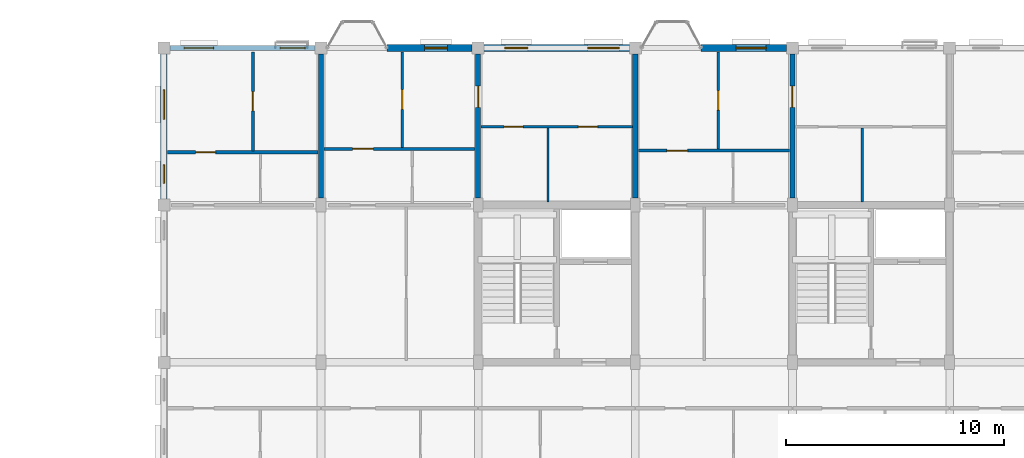
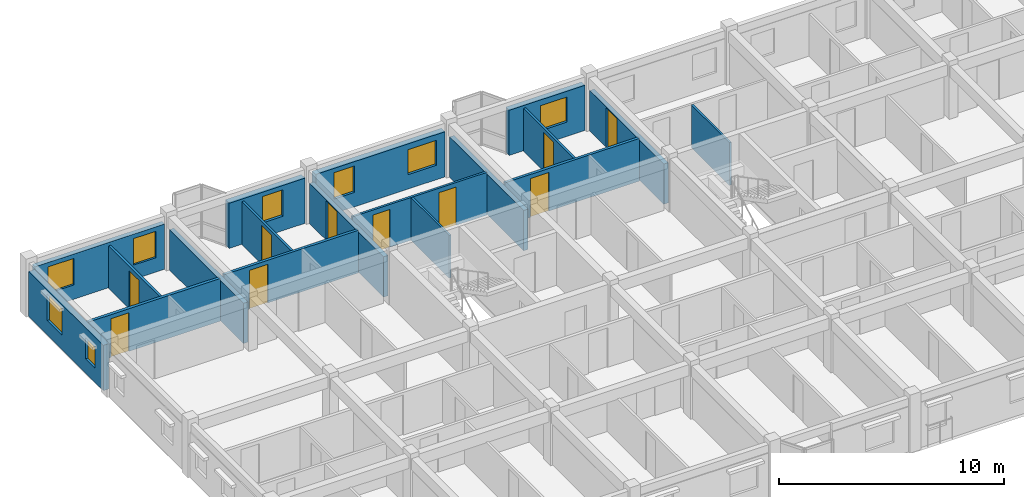
# One storey, part 64 of 75: 18 walls, 10 doors, 8 windows, 18 openings.
"""IFC4 building model written with IfcOpenShell, lengths in metres."""

import ifcopenshell
import ifcopenshell.guid

model = None  # the IFC model being written
_history = None  # IfcOwnerHistory: only IFC2X3 demands one
_inside = {}  # id of a spatial element -> (the spatial element, [elements in it])
_under = {}  # id of a project, library or spatial element -> (it, [spatial elements below it])
_declared = {}  # id of a project -> (the project, [libraries it declares])
_typed = {}  # id of a type object -> (the type object, [elements of that type])
_made_of = {}  # id of a material, layer set ... -> (it, [elements and type objects made of it])


def new_model(schema):
    """Start an empty IFC model of exactly this schema.

    Asked for "IFC4X3", IfcOpenShell would pick the latest addendum, in which some entities
    have other attributes; the version numbers below select the first issue.
    IFC2X3 requires an IfcOwnerHistory on every rooted entity: one is made here for all.
    """
    global model, _history
    if schema == "IFC4X3":
        model = ifcopenshell.file(schema_version=(4, 3, 0, 0))
    else:
        model = ifcopenshell.file(schema=schema)
    _inside.clear()
    _under.clear()
    _declared.clear()
    _typed.clear()
    _made_of.clear()
    _history = None
    if model.schema == "IFC2X3":
        org = make("IfcOrganization", Name="unknown")
        user = make(
            "IfcPersonAndOrganization",
            ThePerson=make("IfcPerson", FamilyName="unknown"),
            TheOrganization=org,
        )
        app = make(
            "IfcApplication",
            ApplicationDeveloper=org,
            Version="unknown",
            ApplicationFullName="unknown",
            ApplicationIdentifier="unknown",
        )
        _history = make(
            "IfcOwnerHistory",
            OwningUser=user,
            OwningApplication=app,
            ChangeAction="ADDED",
            CreationDate=0,
        )
    return model


def make(cls, **values):
    """One entity of the class cls with the attributes given. An attribute that is None is left unset."""
    return model.create_entity(
        cls, **{name: value for name, value in values.items() if value is not None}
    )


def rooted(cls, **values):
    """An entity with a GlobalId (a new one), such as an element, a storey or a relation."""
    return make(cls, GlobalId=ifcopenshell.guid.new(), OwnerHistory=_history, **values)


def si_unit(unit_type, name, prefix=None):
    """IfcSIUnit, for example si_unit("LENGTHUNIT", "METRE", prefix="MILLI")."""
    return make("IfcSIUnit", UnitType=unit_type, Prefix=prefix, Name=name)


def assignment(units):
    """IfcUnitAssignment: the units of a project."""
    return None if units is None else make("IfcUnitAssignment", Units=units)


def point(xyz):
    """IfcCartesianPoint."""
    return None if xyz is None else make("IfcCartesianPoint", Coordinates=xyz)


def direction(xyz):
    """IfcDirection."""
    return None if xyz is None else make("IfcDirection", DirectionRatios=xyz)


def frame(location, z_axis=None, x_axis=None):
    """IfcAxis2Placement3D, a coordinate frame: its origin and axes. An axis left out is left unset."""
    return make(
        "IfcAxis2Placement3D",
        Location=point(location),
        Axis=direction(z_axis),
        RefDirection=direction(x_axis),
    )


def frame_2d(location, x_axis=None):
    """IfcAxis2Placement2D, a coordinate frame in the plane: its origin and x axis."""
    return make(
        "IfcAxis2Placement2D", Location=point(location), RefDirection=direction(x_axis)
    )


def origin():
    """The frame at (0, 0, 0) with its axes left unset."""
    return frame((0.0, 0.0, 0.0))


def place(relative_to, where):
    """IfcLocalPlacement: puts the frame where relative to a parent placement (None: the world)."""
    return make(
        "IfcLocalPlacement", PlacementRelTo=relative_to, RelativePlacement=where
    )


def context(
    kind, dimensions, precision=None, world=None, true_north=None, identifier=None
):
    """IfcGeometricRepresentationContext, for example the 3D "Model" context."""
    return make(
        "IfcGeometricRepresentationContext",
        ContextIdentifier=identifier,
        ContextType=kind,
        CoordinateSpaceDimension=dimensions,
        Precision=precision,
        WorldCoordinateSystem=world,
        TrueNorth=true_north,
    )


def subcontext(parent, identifier, kind, view, scale=None):
    """IfcGeometricRepresentationSubContext, for example "Body" below "Model"."""
    return make(
        "IfcGeometricRepresentationSubContext",
        ContextIdentifier=identifier,
        ContextType=kind,
        ParentContext=parent,
        TargetScale=scale,
        TargetView=view,
    )


def project(units=None, contexts=None):
    """IfcProject with its units and contexts."""
    return rooted(
        "IfcProject",
        Name="project",
        RepresentationContexts=contexts,
        UnitsInContext=assignment(units),
    )


def spatial(cls, under=None, at=None, **own):
    """A site, building, storey or space (cls), placed at a placement, below another one or the project."""
    s = rooted(cls, ObjectPlacement=at, **own)
    if under is not None:
        _under.setdefault(under.id(), (under, []))[1].append(s)
    return s


def profile(cls, at=None, kind="AREA", **sizes):
    """A parametric profile (cls). Its sizes go by their IFC names, for example OverallWidth=200.0."""
    return make(cls, ProfileType=kind, Position=at, **sizes)


def rectangle(**sizes):
    """IfcRectangleProfileDef."""
    return profile("IfcRectangleProfileDef", **sizes)


def extrude(swept, where, along, depth):
    """IfcExtrudedAreaSolid: the profile swept, set in the frame where, extruded along a direction by depth."""
    return make(
        "IfcExtrudedAreaSolid",
        SweptArea=swept,
        Position=where,
        ExtrudedDirection=direction(along),
        Depth=depth,
    )


def shape(context_of_items, identifier, shape_type, items):
    """IfcShapeRepresentation: the items that make up one representation, for example the "Body"."""
    return make(
        "IfcShapeRepresentation",
        ContextOfItems=context_of_items,
        RepresentationIdentifier=identifier,
        RepresentationType=shape_type,
        Items=items,
    )


def material(Name=None, Category=None):
    """IfcMaterial."""
    return make("IfcMaterial", Name=Name, Category=Category)


def layer(
    of_material, thickness, ventilated=None, Name=None, Category=None, Priority=None
):
    """IfcMaterialLayer: one layer of a wall or slab, of a material (None: an air gap)."""
    return make(
        "IfcMaterialLayer",
        Material=of_material,
        LayerThickness=thickness,
        IsVentilated=ventilated,
        Name=Name,
        Category=Category,
        Priority=Priority,
    )


def layer_set(layers, Name=None):
    """IfcMaterialLayerSet."""
    return make("IfcMaterialLayerSet", MaterialLayers=layers, LayerSetName=Name)


def made_of(thing, what):
    """Note that an element or type object is made of a material, layer set ...; save() writes the relation."""
    if what is not None:
        _made_of.setdefault(what.id(), (what, []))[1].append(thing)
    return thing


def type_object(cls, material=None, **own):
    """A type object (cls), such as IfcWallType, which elements share."""
    return made_of(rooted(cls, **own), material)


def element(
    cls,
    number,
    at=None,
    inside=None,
    cuts=None,
    type_object=None,
    material=None,
    context=None,
    identifier="Body",
    shape_type=None,
    held_by="IfcProductDefinitionShape",
    body=None,
    shapes=None,
    **own,
):
    """One element of the class cls, such as IfcWall. Its Tag is "e" and its number.

    at: its placement. inside: the storey or other place that contains it. cuts: it is an
    opening in that element (IfcRelVoidsElement). A single representation is given by context,
    identifier, shape_type and body (its items); several are given by shapes. held_by: the class
    of the entity that holds the representations. save() writes the other relations.
    """
    e = rooted(cls, Tag="e%d" % number, ObjectPlacement=at, **own)
    if body is not None:
        shapes = [shape(context, identifier, shape_type, body)]
    if shapes is not None:
        e.Representation = make(held_by, Representations=shapes)
    if inside is not None:
        _inside.setdefault(inside.id(), (inside, []))[1].append(e)
    if cuts is not None:
        rooted(
            "IfcRelVoidsElement", RelatingBuildingElement=cuts, RelatedOpeningElement=e
        )
    if type_object is not None:
        _typed.setdefault(type_object.id(), (type_object, []))[1].append(e)
    return made_of(e, material)


def fill(opening, filler):
    """IfcRelFillsElement: the door or window that sits in an opening."""
    return rooted(
        "IfcRelFillsElement",
        RelatingOpeningElement=opening,
        RelatedBuildingElement=filler,
    )


def aggregate(whole, parts):
    """IfcRelAggregates: a whole, such as a stair, and the parts it consists of."""
    return rooted("IfcRelAggregates", RelatingObject=whole, RelatedObjects=parts)


def save(model, path):
    """Write the relations noted so far, then the file.

    IfcRelAggregates (storeys below a building ...), IfcRelContainedInSpatialStructure (elements
    in a storey), IfcRelDefinesByType, IfcRelAssociatesMaterial and IfcRelDeclares: one each for
    every whole, place, type object, material and project.
    """
    for whole, parts in _under.values():
        aggregate(whole, parts)
    for where, things in _inside.values():
        rooted(
            "IfcRelContainedInSpatialStructure",
            RelatedElements=things,
            RelatingStructure=where,
        )
    for kind, things in _typed.values():
        rooted("IfcRelDefinesByType", RelatedObjects=things, RelatingType=kind)
    for what, things in _made_of.values():
        rooted("IfcRelAssociatesMaterial", RelatedObjects=things, RelatingMaterial=what)
    for by, libraries in _declared.values():
        rooted("IfcRelDeclares", RelatingContext=by, RelatedDefinitions=libraries)
    model.write(path)


model = new_model("IFC4")

# Units and contexts
model_context = context("Model", 3, precision=1e-05, world=origin(), true_north=direction((0.0, 1.0)))
body_context = subcontext(model_context, "Body", "Model", "MODEL_VIEW")
ifc_project = project(units=[si_unit("LENGTHUNIT", "METRE"), si_unit("AREAUNIT", "SQUARE_METRE"), si_unit("VOLUMEUNIT", "CUBIC_METRE"), si_unit("PLANEANGLEUNIT", "RADIAN"), si_unit("MASSUNIT", "GRAM", prefix="KILO"), si_unit("THERMODYNAMICTEMPERATUREUNIT", "KELVIN"), si_unit("POWERUNIT", "WATT")], contexts=[model_context])

# Site, building, storey
site_placement = place(None, origin())
site = spatial("IfcSite", under=ifc_project, at=site_placement, CompositionType="ELEMENT")
building_placement = place(site_placement, origin())
building = spatial("IfcBuilding", under=site, at=building_placement, Name="Tavuni Mirador Residences", CompositionType="ELEMENT")
storey_placement = place(building_placement, frame((0.0, 0.0, 20.25)))
storey = spatial("IfcBuildingStorey", under=building, at=storey_placement, Name="L06", CompositionType="ELEMENT", Elevation=20.25)

# Wall, opening, window
ifc_material_1 = material(Name="Precast concrete C40/50", Category="concrete")
ifc_layer_1 = layer(ifc_material_1, 0.330078125, Name="Precast concrete C40/50", Category="concrete")
ifc_layer_set_1 = layer_set([ifc_layer_1], Name="Precast concrete C40/50")
wall_type_1 = type_object("IfcWallType", Name="WT-EXT-COR330", PredefinedType="SOLIDWALL", material=ifc_layer_set_1)
wall_1_placement = place(storey_placement, frame((24.925048828125, 172.800048828125, 0.0), z_axis=(0.0, 0.0, 1.0), x_axis=(-1.0, 0.0, 0.0)))
wall_1 = element("IfcWall", 1, at=wall_1_placement, inside=storey, type_object=wall_type_1, Name="EW-BLK-C-L06-N01", PredefinedType="SOLIDWALL", context=body_context, shape_type="SweptSolid", body=[
    extrude(rectangle(XDim=3.905029296875, YDim=0.330078125, at=frame_2d((1.95263671875, 0.0))), origin(), (0.0, 0.0, 1.0), 2.455078125),
])
opening_1_placement = place(wall_1_placement, frame((1.132568359375, 0.0, 0.780029296875)))
opening_1 = element("IfcOpeningElement", 2, at=opening_1_placement, cuts=wall_1, Name="Opening WN-26", PredefinedType="OPENING", context=body_context, shape_type="SweptSolid", body=[
    extrude(rectangle(XDim=1.050048828125, YDim=1.43994140625, at=frame_2d((0.52490234375, 0.719970703125))), frame((0.0, 0.175048828125, 0.0), z_axis=(0.0, -1.0, 0.0), x_axis=(1.0, 0.0, 0.0)), (0.0, 0.0, 1.0), 0.35009765625),
])
ifc_material_2 = material(Name="Laminated solar-control glass", Category="glass")
window_type_1 = type_object("IfcWindowType", Name="WNT-26", PartitioningType="SINGLE_PANEL", PredefinedType="WINDOW", material=ifc_material_2)
window_1_placement = place(opening_1_placement, origin())
window_1 = element("IfcWindow", 3, at=window_1_placement, inside=storey, type_object=window_type_1, Name="WIN-1129", OverallHeight=1.43994140625, OverallWidth=1.050048828125, PartitioningType="SINGLE_PANEL", PredefinedType="WINDOW", context=body_context, shape_type="SweptSolid", body=[
    extrude(rectangle(XDim=1.050048828125, YDim=1.43994140625, at=frame_2d((0.52490234375, 0.719970703125))), frame((0.0, 0.030029296875, 0.0), z_axis=(0.0, -1.0, 0.0), x_axis=(1.0, 0.0, 0.0)), (0.0, 0.0, 1.0), 0.06005859375),
])
fill(opening_1, window_1)

# Wall, openings, windows
ifc_material_3 = material(Name="Sgraffito lime-rendered precast concrete C40/50", Category="concrete")
ifc_layer_2 = layer(ifc_material_3, 0.2451171875, Name="Sgraffito lime-rendered precast concrete C40/50", Category="concrete")
ifc_layer_set_2 = layer_set([ifc_layer_2], Name="Sgraffito lime-rendered precast concrete C40/50")
wall_type_2 = type_object("IfcWallType", Name="WT-EXT-PC245", PredefinedType="SOLIDWALL", material=ifc_layer_set_2)
wall_2_placement = place(storey_placement, frame((17.72509765625, 172.800048828125, 0.0), z_axis=(0.0, 0.0, 1.0), x_axis=(-1.0, 0.0, 0.0)))
wall_2 = element("IfcWall", 4, at=wall_2_placement, inside=storey, type_object=wall_type_2, Name="EW-BLK-C-L06-N00", PredefinedType="SOLIDWALL", context=body_context, shape_type="SweptSolid", body=[
    extrude(rectangle(XDim=6.650146484375, YDim=0.2451171875, at=frame_2d((3.3251953125, 0.0))), origin(), (0.0, 0.0, 1.0), 2.455078125),
])
opening_2_placement = place(wall_2_placement, frame((0.449951171875, 0.0, 0.780029296875)))
opening_2 = element("IfcOpeningElement", 5, at=opening_2_placement, cuts=wall_2, Name="Opening WN-27", PredefinedType="OPENING", context=body_context, shape_type="SweptSolid", body=[
    extrude(rectangle(XDim=1.14990234375, YDim=1.43994140625, at=frame_2d((0.574951171875, 0.719970703125))), frame((0.0, 0.132568359375, 0.0), z_axis=(0.0, -1.0, 0.0), x_axis=(1.0, 0.0, 0.0)), (0.0, 0.0, 1.0), 0.26513671875),
])
opening_3_placement = place(wall_2_placement, frame((4.64990234375, 0.0, 0.780029296875)))
opening_3 = element("IfcOpeningElement", 6, at=opening_3_placement, cuts=wall_2, Name="Opening WN-29", PredefinedType="OPENING", context=body_context, shape_type="SweptSolid", body=[
    extrude(rectangle(XDim=1.35009765625, YDim=1.43994140625, at=frame_2d((0.675048828125, 0.719970703125))), frame((0.0, 0.132568359375, 0.0), z_axis=(0.0, -1.0, 0.0), x_axis=(1.0, 0.0, 0.0)), (0.0, 0.0, 1.0), 0.26513671875),
])
window_type_2 = type_object("IfcWindowType", Name="WNT-27", PartitioningType="SINGLE_PANEL", PredefinedType="WINDOW", material=ifc_material_2)
window_2_placement = place(opening_2_placement, origin())
window_2 = element("IfcWindow", 7, at=window_2_placement, inside=storey, type_object=window_type_2, Name="WIN-1130", OverallHeight=1.43994140625, OverallWidth=1.14990234375, PartitioningType="SINGLE_PANEL", PredefinedType="WINDOW", context=body_context, shape_type="SweptSolid", body=[
    extrude(rectangle(XDim=1.14990234375, YDim=1.43994140625, at=frame_2d((0.574951171875, 0.719970703125))), frame((0.0, 0.030029296875, 0.0), z_axis=(0.0, -1.0, 0.0), x_axis=(1.0, 0.0, 0.0)), (0.0, 0.0, 1.0), 0.06005859375),
])
fill(opening_2, window_2)
window_type_3 = type_object("IfcWindowType", Name="WNT-29", PartitioningType="SINGLE_PANEL", PredefinedType="WINDOW", material=ifc_material_2)
window_3_placement = place(opening_3_placement, origin())
window_3 = element("IfcWindow", 8, at=window_3_placement, inside=storey, type_object=window_type_3, Name="WIN-1131", OverallHeight=1.43994140625, OverallWidth=1.35009765625, PartitioningType="SINGLE_PANEL", PredefinedType="WINDOW", context=body_context, shape_type="SweptSolid", body=[
    extrude(rectangle(XDim=1.35009765625, YDim=1.43994140625, at=frame_2d((0.675048828125, 0.719970703125))), frame((0.0, 0.030029296875, 0.0), z_axis=(0.0, -1.0, 0.0), x_axis=(1.0, 0.0, 0.0)), (0.0, 0.0, 1.0), 0.06005859375),
])
fill(opening_3, window_3)

# Wall, opening, window
ifc_layer_3 = layer(ifc_material_3, 0.304931640625, Name="Sgraffito lime-rendered precast concrete C40/50", Category="concrete")
ifc_layer_set_3 = layer_set([ifc_layer_3], Name="Sgraffito lime-rendered precast concrete C40/50")
wall_type_3 = type_object("IfcWallType", Name="WT-EXT-PC305", PredefinedType="SOLIDWALL", material=ifc_layer_set_3)
wall_3_placement = place(storey_placement, frame((39.324951171875, 172.800048828125, 0.0), z_axis=(0.0, 0.0, 1.0), x_axis=(-1.0, 0.0, 0.0)))
wall_3 = element("IfcWall", 9, at=wall_3_placement, inside=storey, type_object=wall_type_3, Name="EW-BLK-C-L06-N03", PredefinedType="SOLIDWALL", context=body_context, shape_type="SweptSolid", body=[
    extrude(rectangle(XDim=3.905029296875, YDim=0.304931640625, at=frame_2d((1.95263671875, 0.0))), origin(), (0.0, 0.0, 1.0), 2.455078125),
])
opening_4_placement = place(wall_3_placement, frame((0.927490234375, 0.0, 0.780029296875)))
opening_4 = element("IfcOpeningElement", 10, at=opening_4_placement, cuts=wall_3, Name="Opening WN-23", PredefinedType="OPENING", context=body_context, shape_type="SweptSolid", body=[
    extrude(rectangle(XDim=1.3798828125, YDim=1.360107421875, at=frame_2d((0.68994140625, 0.68017578125))), frame((0.0, 0.16259765625, 0.0), z_axis=(0.0, -1.0, 0.0), x_axis=(1.0, 0.0, 0.0)), (0.0, 0.0, 1.0), 0.324951171875),
])
window_type_4 = type_object("IfcWindowType", Name="WNT-23", PartitioningType="SINGLE_PANEL", PredefinedType="WINDOW", material=ifc_material_2)
window_4_placement = place(opening_4_placement, origin())
window_4 = element("IfcWindow", 11, at=window_4_placement, inside=storey, type_object=window_type_4, Name="WIN-1126", OverallHeight=1.360107421875, OverallWidth=1.3798828125, PartitioningType="SINGLE_PANEL", PredefinedType="WINDOW", context=body_context, shape_type="SweptSolid", body=[
    extrude(rectangle(XDim=1.3798828125, YDim=1.360107421875, at=frame_2d((0.68994140625, 0.68017578125))), frame((0.0, 0.030029296875, 0.0), z_axis=(0.0, -1.0, 0.0), x_axis=(1.0, 0.0, 0.0)), (0.0, 0.0, 1.0), 0.06005859375),
])
fill(opening_4, window_4)

# Wall, openings, windows
wall_4_placement = place(storey_placement, frame((10.800048828125, 172.52490234375, 0.0), z_axis=(0.0, 0.0, 1.0), x_axis=(0.0, -1.0, 0.0)))
wall_4 = element("IfcWall", 12, at=wall_4_placement, inside=storey, type_object=wall_type_3, Name="EW-BLK-C-L06-W03", PredefinedType="SOLIDWALL", context=body_context, shape_type="SweptSolid", body=[
    extrude(rectangle(XDim=6.64990234375, YDim=0.304931640625, at=frame_2d((3.324951171875, 0.0))), origin(), (0.0, 0.0, 1.0), 2.455078125),
])
opening_5_placement = place(wall_4_placement, frame((1.6474609375, 0.0, 0.780029296875)))
opening_5 = element("IfcOpeningElement", 13, at=opening_5_placement, cuts=wall_4, Name="Opening WN-29", PredefinedType="OPENING", context=body_context, shape_type="SweptSolid", body=[
    extrude(rectangle(XDim=1.35009765625, YDim=1.43994140625, at=frame_2d((0.675048828125, 0.719970703125))), frame((0.0, 0.16259765625, 0.0), z_axis=(0.0, -1.0, 0.0), x_axis=(1.0, 0.0, 0.0)), (0.0, 0.0, 1.0), 0.324951171875),
])
opening_6_placement = place(wall_4_placement, frame((5.08251953125, 0.0, 0.780029296875)))
opening_6 = element("IfcOpeningElement", 14, at=opening_6_placement, cuts=wall_4, Name="Opening WN-01", PredefinedType="OPENING", context=body_context, shape_type="SweptSolid", body=[
    extrude(rectangle(XDim=0.85009765625, YDim=1.14990234375, at=frame_2d((0.425048828125, 0.574951171875))), frame((0.0, 0.16259765625, 0.0), z_axis=(0.0, -1.0, 0.0), x_axis=(1.0, 0.0, 0.0)), (0.0, 0.0, 1.0), 0.324951171875),
])
window_type_5 = type_object("IfcWindowType", Name="WNT-01", PartitioningType="SINGLE_PANEL", PredefinedType="WINDOW", material=ifc_material_2)
window_5_placement = place(opening_6_placement, origin())
window_5 = element("IfcWindow", 15, at=window_5_placement, inside=storey, type_object=window_type_5, Name="WIN-1133", OverallHeight=1.14990234375, OverallWidth=0.85009765625, PartitioningType="SINGLE_PANEL", PredefinedType="WINDOW", context=body_context, shape_type="SweptSolid", body=[
    extrude(rectangle(XDim=0.85009765625, YDim=1.14990234375, at=frame_2d((0.425048828125, 0.574951171875))), frame((0.0, 0.030029296875, 0.0), z_axis=(0.0, -1.0, 0.0), x_axis=(1.0, 0.0, 0.0)), (0.0, 0.0, 1.0), 0.06005859375),
])
fill(opening_6, window_5)
window_6_placement = place(opening_5_placement, origin())
window_6 = element("IfcWindow", 16, at=window_6_placement, inside=storey, type_object=window_type_3, Name="WIN-1132", OverallHeight=1.43994140625, OverallWidth=1.35009765625, PartitioningType="SINGLE_PANEL", PredefinedType="WINDOW", context=body_context, shape_type="SweptSolid", body=[
    extrude(rectangle(XDim=1.35009765625, YDim=1.43994140625, at=frame_2d((0.675048828125, 0.719970703125))), frame((0.0, 0.030029296875, 0.0), z_axis=(0.0, -1.0, 0.0), x_axis=(1.0, 0.0, 0.0)), (0.0, 0.0, 1.0), 0.06005859375),
])
fill(opening_5, window_6)

ifc_layer_4 = layer(ifc_material_3, 0.31494140625, Name="Sgraffito lime-rendered precast concrete C40/50", Category="concrete")
ifc_layer_set_4 = layer_set([ifc_layer_4], Name="Sgraffito lime-rendered precast concrete C40/50")
wall_type_4 = type_object("IfcWallType", Name="WT-EXT-PC315", PredefinedType="SOLIDWALL", material=ifc_layer_set_4)
wall_5_placement = place(storey_placement, frame((32.125, 172.800048828125, 0.0), z_axis=(0.0, 0.0, 1.0), x_axis=(-1.0, 0.0, 0.0)))
wall_5 = element("IfcWall", 17, at=wall_5_placement, inside=storey, type_object=wall_type_4, Name="EW-BLK-C-L06-N02", PredefinedType="SOLIDWALL", context=body_context, shape_type="SweptSolid", body=[
    extrude(rectangle(XDim=6.64990234375, YDim=0.31494140625, at=frame_2d((3.324951171875, 0.0))), origin(), (0.0, 0.0, 1.0), 2.455078125),
])
opening_7_placement = place(wall_5_placement, frame((0.449951171875, 0.0, 0.780029296875)))
opening_7 = element("IfcOpeningElement", 18, at=opening_7_placement, cuts=wall_5, Name="Opening WN-24", PredefinedType="OPENING", context=body_context, shape_type="SweptSolid", body=[
    extrude(rectangle(XDim=1.4599609375, YDim=1.360107421875, at=frame_2d((0.72998046875, 0.68017578125))), frame((0.0, 0.16748046875, 0.0), z_axis=(0.0, -1.0, 0.0), x_axis=(1.0, 0.0, 0.0)), (0.0, 0.0, 1.0), 0.3349609375),
])
opening_8_placement = place(wall_5_placement, frame((4.64990234375, 0.0, 0.780029296875)))
opening_8 = element("IfcOpeningElement", 19, at=opening_8_placement, cuts=wall_5, Name="Opening WN-26", PredefinedType="OPENING", context=body_context, shape_type="SweptSolid", body=[
    extrude(rectangle(XDim=1.050048828125, YDim=1.43994140625, at=frame_2d((0.52490234375, 0.719970703125))), frame((0.0, 0.16748046875, 0.0), z_axis=(0.0, -1.0, 0.0), x_axis=(1.0, 0.0, 0.0)), (0.0, 0.0, 1.0), 0.3349609375),
])
window_type_6 = type_object("IfcWindowType", Name="WNT-24", PartitioningType="SINGLE_PANEL", PredefinedType="WINDOW", material=ifc_material_2)
window_7_placement = place(opening_7_placement, origin())
window_7 = element("IfcWindow", 20, at=window_7_placement, inside=storey, type_object=window_type_6, Name="WIN-1127", OverallHeight=1.360107421875, OverallWidth=1.4599609375, PartitioningType="SINGLE_PANEL", PredefinedType="WINDOW", context=body_context, shape_type="SweptSolid", body=[
    extrude(rectangle(XDim=1.4599609375, YDim=1.360107421875, at=frame_2d((0.72998046875, 0.68017578125))), frame((0.0, 0.030029296875, 0.0), z_axis=(0.0, -1.0, 0.0), x_axis=(1.0, 0.0, 0.0)), (0.0, 0.0, 1.0), 0.06005859375),
])
fill(opening_7, window_7)
window_8_placement = place(opening_8_placement, origin())
window_8 = element("IfcWindow", 21, at=window_8_placement, inside=storey, type_object=window_type_1, Name="WIN-1128", OverallHeight=1.43994140625, OverallWidth=1.050048828125, PartitioningType="SINGLE_PANEL", PredefinedType="WINDOW", context=body_context, shape_type="SweptSolid", body=[
    extrude(rectangle(XDim=1.050048828125, YDim=1.43994140625, at=frame_2d((0.52490234375, 0.719970703125))), frame((0.0, 0.030029296875, 0.0), z_axis=(0.0, -1.0, 0.0), x_axis=(1.0, 0.0, 0.0)), (0.0, 0.0, 1.0), 0.06005859375),
])
fill(opening_8, window_8)

# Walls
ifc_material_4 = material(Name="Acoustic gypsum and concrete block partition", Category="concrete")
ifc_layer_5 = layer(ifc_material_4, 0.10498046875, Name="Acoustic gypsum and concrete block partition", Category="concrete")
ifc_layer_set_5 = layer_set([ifc_layer_5], Name="Acoustic gypsum and concrete block partition")
wall_type_5 = type_object("IfcWallType", Name="WT-PART105", PredefinedType="PARTITIONING", material=ifc_layer_set_5)
for number, where, z_axis, x_axis, name in (
    (22, (28.39990234375, 165.739990234375, 0.0), (0.0, 0.0, 1.0), (0.0, 1.0, 0.0), "PW-BLK-C-L06-NC02-V"),
    (23, (42.800048828125, 165.739990234375, 0.0), (0.0, 0.0, 1.0), (0.0, 1.0, 0.0), "PW-BLK-C-L06-NC04-V"),
):
    element("IfcWall", number, at=place(storey_placement, frame(where, z_axis=z_axis, x_axis=x_axis)), inside=storey, type_object=wall_type_5, Name=name, PredefinedType="PARTITIONING", context=body_context, shape_type="SweptSolid", body=[
        extrude(rectangle(XDim=3.389892578125, YDim=0.10498046875, at=frame_2d((1.69482421875, 0.0))), origin(), (0.0, 0.0, 1.0), 2.320068359375),
    ])

# Wall, opening, door
ifc_layer_6 = layer(ifc_material_4, 0.114990234375, Name="Acoustic gypsum and concrete block partition", Category="concrete")
ifc_layer_set_6 = layer_set([ifc_layer_6], Name="Acoustic gypsum and concrete block partition")
wall_type_6 = type_object("IfcWallType", Name="WT-PART115", PredefinedType="PARTITIONING", material=ifc_layer_set_6)
wall_6_placement = place(storey_placement, frame((21.719970703125, 168.25, 0.0), z_axis=(0.0, 0.0, 1.0), x_axis=(0.0, 1.0, 0.0)))
wall_6 = element("IfcWall", 24, at=wall_6_placement, inside=storey, type_object=wall_type_6, Name="PW-BLK-C-L06-N01-OUT", PredefinedType="PARTITIONING", context=body_context, shape_type="SweptSolid", body=[
    extrude(rectangle(XDim=4.375, YDim=0.114990234375, at=frame_2d((2.1875, 0.0))), origin(), (0.0, 0.0, 1.0), 2.320068359375),
])
opening_9_placement = place(wall_6_placement, frame((1.737548828125, 0.0, 0.0)))
opening_9 = element("IfcOpeningElement", 25, at=opening_9_placement, cuts=wall_6, Name="Opening D-07", PredefinedType="OPENING", context=body_context, shape_type="SweptSolid", body=[
    extrude(rectangle(XDim=0.89990234375, YDim=2.10009765625, at=frame_2d((0.449951171875, 1.050048828125))), frame((0.0, 0.0673828125, 0.0), z_axis=(0.0, -1.0, 0.0), x_axis=(1.0, 0.0, 0.0)), (0.0, 0.0, 1.0), 0.135009765625),
])
ifc_material_5 = material(Name="Solid core iroko timber", Category="wood")
door_type_1 = type_object("IfcDoorType", Name="DT-BED900", OperationType="NOTDEFINED", PredefinedType="DOOR", material=ifc_material_5)
door_1_placement = place(opening_9_placement, origin())
door_1 = element("IfcDoor", 26, at=door_1_placement, inside=storey, type_object=door_type_1, Name="DR-3971", OperationType="SINGLE_SWING_RIGHT", OverallHeight=2.10009765625, OverallWidth=0.89990234375, PredefinedType="DOOR", context=body_context, shape_type="SweptSolid", body=[
    extrude(rectangle(XDim=0.89990234375, YDim=2.10009765625, at=frame_2d((0.449951171875, 1.050048828125))), frame((0.0, 0.02490234375, 0.0), z_axis=(0.0, -1.0, 0.0), x_axis=(1.0, 0.0, 0.0)), (0.0, 0.0, 1.0), 0.050048828125),
])
fill(opening_9, door_1)

# Wall, openings, doors
wall_7_placement = place(storey_placement, frame((25.340087890625, 169.199951171875, 0.0), z_axis=(0.0, 0.0, 1.0), x_axis=(1.0, 0.0, 0.0)))
wall_7 = element("IfcWall", 27, at=wall_7_placement, inside=storey, type_object=wall_type_6, Name="PW-BLK-C-L06-NC02-M", PredefinedType="PARTITIONING", context=body_context, shape_type="SweptSolid", body=[
    extrude(rectangle(XDim=6.919921875, YDim=0.114990234375, at=frame_2d((3.4599609375, 0.0))), origin(), (0.0, 0.0, 1.0), 2.320068359375),
])
opening_10_placement = place(wall_7_placement, frame((1.050048828125, 0.0, 0.0)))
opening_10 = element("IfcOpeningElement", 28, at=opening_10_placement, cuts=wall_7, Name="Opening D-10", PredefinedType="OPENING", context=body_context, shape_type="SweptSolid", body=[
    extrude(rectangle(XDim=0.8701171875, YDim=2.050048828125, at=frame_2d((0.43505859375, 1.02490234375))), frame((0.0, 0.0673828125, 0.0), z_axis=(0.0, -1.0, 0.0), x_axis=(1.0, 0.0, 0.0)), (0.0, 0.0, 1.0), 0.135009765625),
])
opening_11_placement = place(wall_7_placement, frame((4.449951171875, 0.0, 0.0)))
opening_11 = element("IfcOpeningElement", 29, at=opening_11_placement, cuts=wall_7, Name="Opening D-08", PredefinedType="OPENING", context=body_context, shape_type="SweptSolid", body=[
    extrude(rectangle(XDim=0.8798828125, YDim=2.080078125, at=frame_2d((0.43994140625, 1.0400390625))), frame((0.0, 0.0673828125, 0.0), z_axis=(0.0, -1.0, 0.0), x_axis=(1.0, 0.0, 0.0)), (0.0, 0.0, 1.0), 0.135009765625),
])
door_type_2 = type_object("IfcDoorType", Name="DT-BED880", OperationType="NOTDEFINED", PredefinedType="DOOR", material=ifc_material_5)
door_2_placement = place(opening_11_placement, origin())
door_2 = element("IfcDoor", 30, at=door_2_placement, inside=storey, type_object=door_type_2, Name="DR-3978", OperationType="SINGLE_SWING_RIGHT", OverallHeight=2.080078125, OverallWidth=0.8798828125, PredefinedType="DOOR", context=body_context, shape_type="SweptSolid", body=[
    extrude(rectangle(XDim=0.8798828125, YDim=2.080078125, at=frame_2d((0.43994140625, 1.0400390625))), frame((0.0, 0.02490234375, 0.0), z_axis=(0.0, -1.0, 0.0), x_axis=(1.0, 0.0, 0.0)), (0.0, 0.0, 1.0), 0.050048828125),
])
fill(opening_11, door_2)
door_type_3 = type_object("IfcDoorType", Name="DT-WC870", OperationType="NOTDEFINED", PredefinedType="DOOR", material=ifc_material_5)
door_3_placement = place(opening_10_placement, origin())
door_3 = element("IfcDoor", 31, at=door_3_placement, inside=storey, type_object=door_type_3, Name="DR-3977", OperationType="SINGLE_SWING_LEFT", OverallHeight=2.050048828125, OverallWidth=0.8701171875, PredefinedType="DOOR", context=body_context, shape_type="SweptSolid", body=[
    extrude(rectangle(XDim=0.8701171875, YDim=2.050048828125, at=frame_2d((0.43505859375, 1.02490234375))), frame((0.0, 0.02490234375, 0.0), z_axis=(0.0, -1.0, 0.0), x_axis=(1.0, 0.0, 0.0)), (0.0, 0.0, 1.0), 0.050048828125),
])
fill(opening_10, door_3)

# Wall, opening, door
wall_8_placement = place(storey_placement, frame((36.199951171875, 168.169921875, 0.0), z_axis=(0.0, 0.0, 1.0), x_axis=(0.0, 1.0, 0.0)))
wall_8 = element("IfcWall", 32, at=wall_8_placement, inside=storey, type_object=wall_type_6, Name="PW-BLK-C-L06-N03-OUT", PredefinedType="PARTITIONING", context=body_context, shape_type="SweptSolid", body=[
    extrude(rectangle(XDim=4.455078125, YDim=0.114990234375, at=frame_2d((2.2275390625, 0.0))), origin(), (0.0, 0.0, 1.0), 2.320068359375),
])
opening_12_placement = place(wall_8_placement, frame((1.777587890625, 0.0, 0.0)))
opening_12 = element("IfcOpeningElement", 33, at=opening_12_placement, cuts=wall_8, Name="Opening D-07", PredefinedType="OPENING", context=body_context, shape_type="SweptSolid", body=[
    extrude(rectangle(XDim=0.89990234375, YDim=2.10009765625, at=frame_2d((0.449951171875, 1.050048828125))), frame((0.0, 0.0673828125, 0.0), z_axis=(0.0, -1.0, 0.0), x_axis=(1.0, 0.0, 0.0)), (0.0, 0.0, 1.0), 0.135009765625),
])
door_4_placement = place(opening_12_placement, origin())
door_4 = element("IfcDoor", 34, at=door_4_placement, inside=storey, type_object=door_type_1, Name="DR-3983", OperationType="SINGLE_SWING_RIGHT", OverallHeight=2.10009765625, OverallWidth=0.89990234375, PredefinedType="DOOR", context=body_context, shape_type="SweptSolid", body=[
    extrude(rectangle(XDim=0.89990234375, YDim=2.10009765625, at=frame_2d((0.449951171875, 1.050048828125))), frame((0.0, 0.02490234375, 0.0), z_axis=(0.0, -1.0, 0.0), x_axis=(1.0, 0.0, 0.0)), (0.0, 0.0, 1.0), 0.050048828125),
])
fill(opening_12, door_4)

ifc_layer_7 = layer(ifc_material_4, 0.125, Name="Acoustic gypsum and concrete block partition", Category="concrete")
ifc_layer_set_7 = layer_set([ifc_layer_7], Name="Acoustic gypsum and concrete block partition")
wall_type_7 = type_object("IfcWallType", Name="WT-PART125", PredefinedType="PARTITIONING", material=ifc_layer_set_7)
wall_9_placement = place(storey_placement, frame((14.8798828125, 168.090087890625, 0.0), z_axis=(0.0, 0.0, 1.0), x_axis=(0.0, 1.0, 0.0)))
wall_9 = element("IfcWall", 35, at=wall_9_placement, inside=storey, type_object=wall_type_7, Name="PW-BLK-C-L06-N00-OUT", PredefinedType="PARTITIONING", context=body_context, shape_type="SweptSolid", body=[
    extrude(rectangle(XDim=4.534912109375, YDim=0.125, at=frame_2d((2.267578125, 0.0))), origin(), (0.0, 0.0, 1.0), 2.320068359375),
])
opening_13_placement = place(wall_9_placement, frame((1.827392578125, 0.0, 0.0)))
opening_13 = element("IfcOpeningElement", 36, at=opening_13_placement, cuts=wall_9, Name="Opening D-08", PredefinedType="OPENING", context=body_context, shape_type="SweptSolid", body=[
    extrude(rectangle(XDim=0.8798828125, YDim=2.080078125, at=frame_2d((0.43994140625, 1.0400390625))), frame((0.0, 0.072509765625, 0.0), z_axis=(0.0, -1.0, 0.0), x_axis=(1.0, 0.0, 0.0)), (0.0, 0.0, 1.0), 0.14501953125),
])
door_5_placement = place(opening_13_placement, origin())
door_5 = element("IfcDoor", 37, at=door_5_placement, inside=storey, type_object=door_type_2, Name="DR-3964", OperationType="SINGLE_SWING_LEFT", OverallHeight=2.080078125, OverallWidth=0.8798828125, PredefinedType="DOOR", context=body_context, shape_type="SweptSolid", body=[
    extrude(rectangle(XDim=0.8798828125, YDim=2.080078125, at=frame_2d((0.43994140625, 1.0400390625))), frame((0.0, 0.02490234375, 0.0), z_axis=(0.0, -1.0, 0.0), x_axis=(1.0, 0.0, 0.0)), (0.0, 0.0, 1.0), 0.050048828125),
])
fill(opening_13, door_5)

ifc_layer_8 = layer(ifc_material_4, 0.139892578125, Name="Acoustic gypsum and concrete block partition", Category="concrete")
ifc_layer_set_8 = layer_set([ifc_layer_8], Name="Acoustic gypsum and concrete block partition")
wall_type_8 = type_object("IfcWallType", Name="WT-PART140", PredefinedType="PARTITIONING", material=ifc_layer_set_8)
wall_10_placement = place(storey_placement, frame((18.139892578125, 168.179931640625, 0.0), z_axis=(0.0, 0.0, 1.0), x_axis=(1.0, 0.0, 0.0)))
wall_10 = element("IfcWall", 38, at=wall_10_placement, inside=storey, type_object=wall_type_8, Name="PW-BLK-C-L06-N01-MID", PredefinedType="PARTITIONING", context=body_context, shape_type="SweptSolid", body=[
    extrude(rectangle(XDim=6.920166015625, YDim=0.139892578125, at=frame_2d((3.4599609375, 0.0))), origin(), (0.0, 0.0, 1.0), 2.320068359375),
])
opening_14_placement = place(wall_10_placement, frame((1.31005859375, 0.0, 0.0)))
opening_14 = element("IfcOpeningElement", 39, at=opening_14_placement, cuts=wall_10, Name="Opening D-05", PredefinedType="OPENING", context=body_context, shape_type="SweptSolid", body=[
    extrude(rectangle(XDim=0.949951171875, YDim=2.10009765625, at=frame_2d((0.47509765625, 1.050048828125))), frame((0.0, 0.080078125, 0.0), z_axis=(0.0, -1.0, 0.0), x_axis=(1.0, 0.0, 0.0)), (0.0, 0.0, 1.0), 0.159912109375),
])
door_type_4 = type_object("IfcDoorType", Name="DT-INT950", OperationType="NOTDEFINED", PredefinedType="DOOR", material=ifc_material_5)
door_6_placement = place(opening_14_placement, origin())
door_6 = element("IfcDoor", 40, at=door_6_placement, inside=storey, type_object=door_type_4, Name="DR-3973", OperationType="SINGLE_SWING_LEFT", OverallHeight=2.10009765625, OverallWidth=0.949951171875, PredefinedType="DOOR", context=body_context, shape_type="SweptSolid", body=[
    extrude(rectangle(XDim=0.949951171875, YDim=2.10009765625, at=frame_2d((0.47509765625, 1.050048828125))), frame((0.0, 0.02490234375, 0.0), z_axis=(0.0, -1.0, 0.0), x_axis=(1.0, 0.0, 0.0)), (0.0, 0.0, 1.0), 0.050048828125),
])
fill(opening_14, door_6)

wall_11_placement = place(storey_placement, frame((32.5400390625, 168.10009765625, 0.0), z_axis=(0.0, 0.0, 1.0), x_axis=(1.0, 0.0, 0.0)))
wall_11 = element("IfcWall", 41, at=wall_11_placement, inside=storey, type_object=wall_type_8, Name="PW-BLK-C-L06-N03-MID", PredefinedType="PARTITIONING", context=body_context, shape_type="SweptSolid", body=[
    extrude(rectangle(XDim=6.919921875, YDim=0.139892578125, at=frame_2d((3.4599609375, 0.0))), origin(), (0.0, 0.0, 1.0), 2.320068359375),
])
opening_15_placement = place(wall_11_placement, frame((1.31005859375, 0.0, 0.0)))
opening_15 = element("IfcOpeningElement", 42, at=opening_15_placement, cuts=wall_11, Name="Opening D-05", PredefinedType="OPENING", context=body_context, shape_type="SweptSolid", body=[
    extrude(rectangle(XDim=0.949951171875, YDim=2.10009765625, at=frame_2d((0.47509765625, 1.050048828125))), frame((0.0, 0.080078125, 0.0), z_axis=(0.0, -1.0, 0.0), x_axis=(1.0, 0.0, 0.0)), (0.0, 0.0, 1.0), 0.159912109375),
])
door_7_placement = place(opening_15_placement, origin())
door_7 = element("IfcDoor", 43, at=door_7_placement, inside=storey, type_object=door_type_4, Name="DR-3985", OperationType="SINGLE_SWING_LEFT", OverallHeight=2.10009765625, OverallWidth=0.949951171875, PredefinedType="DOOR", context=body_context, shape_type="SweptSolid", body=[
    extrude(rectangle(XDim=0.949951171875, YDim=2.10009765625, at=frame_2d((0.47509765625, 1.050048828125))), frame((0.0, 0.02490234375, 0.0), z_axis=(0.0, -1.0, 0.0), x_axis=(1.0, 0.0, 0.0)), (0.0, 0.0, 1.0), 0.050048828125),
])
fill(opening_15, door_7)

ifc_layer_9 = layer(ifc_material_4, 0.14990234375, Name="Acoustic gypsum and concrete block partition", Category="concrete")
ifc_layer_set_9 = layer_set([ifc_layer_9], Name="Acoustic gypsum and concrete block partition")
wall_type_9 = type_object("IfcWallType", Name="WT-PART150", PredefinedType="PARTITIONING", material=ifc_layer_set_9)
wall_12_placement = place(storey_placement, frame((10.97509765625, 168.02001953125, 0.0), z_axis=(0.0, 0.0, 1.0), x_axis=(1.0, 0.0, 0.0)))
wall_12 = element("IfcWall", 44, at=wall_12_placement, inside=storey, type_object=wall_type_9, Name="PW-BLK-C-L06-N00-MID", PredefinedType="PARTITIONING", context=body_context, shape_type="SweptSolid", body=[
    extrude(rectangle(XDim=6.885009765625, YDim=0.14990234375, at=frame_2d((3.4423828125, 0.0))), origin(), (0.0, 0.0, 1.0), 2.320068359375),
])
opening_16_placement = place(wall_12_placement, frame((1.27490234375, 0.0, 0.0)))
opening_16 = element("IfcOpeningElement", 45, at=opening_16_placement, cuts=wall_12, Name="Opening D-06", PredefinedType="OPENING", context=body_context, shape_type="SweptSolid", body=[
    extrude(rectangle(XDim=0.919921875, YDim=2.10009765625, at=frame_2d((0.4599609375, 1.050048828125))), frame((0.0, 0.0849609375, 0.0), z_axis=(0.0, -1.0, 0.0), x_axis=(1.0, 0.0, 0.0)), (0.0, 0.0, 1.0), 0.169921875),
])
door_type_5 = type_object("IfcDoorType", Name="DT-INT920", OperationType="NOTDEFINED", PredefinedType="DOOR", material=ifc_material_5)
door_8_placement = place(opening_16_placement, origin())
door_8 = element("IfcDoor", 46, at=door_8_placement, inside=storey, type_object=door_type_5, Name="DR-3966", OperationType="SINGLE_SWING_RIGHT", OverallHeight=2.10009765625, OverallWidth=0.919921875, PredefinedType="DOOR", context=body_context, shape_type="SweptSolid", body=[
    extrude(rectangle(XDim=0.919921875, YDim=2.10009765625, at=frame_2d((0.4599609375, 1.050048828125))), frame((0.0, 0.02490234375, 0.0), z_axis=(0.0, -1.0, 0.0), x_axis=(1.0, 0.0, 0.0)), (0.0, 0.0, 1.0), 0.050048828125),
])
fill(opening_16, door_8)

# Wall
ifc_layer_10 = layer(ifc_material_1, 0.235107421875, Name="Precast concrete C40/50", Category="concrete")
ifc_layer_set_10 = layer_set([ifc_layer_10], Name="Precast concrete C40/50")
wall_type_10 = type_object("IfcWallType", Name="WT-XW235", PredefinedType="SOLIDWALL", material=ifc_layer_set_10)
wall_13_placement = place(storey_placement, frame((18.0, 165.925048828125, 0.0), z_axis=(0.0, 0.0, 1.0), x_axis=(0.0, 1.0, 0.0)))
element("IfcWall", 47, at=wall_13_placement, inside=storey, type_object=wall_type_10, Name="XW-BLK-C-L06-N-01", PredefinedType="SOLIDWALL", context=body_context, shape_type="SweptSolid", body=[
    extrude(rectangle(XDim=6.599853515625, YDim=0.235107421875, at=frame_2d((3.2998046875, 0.0))), origin(), (0.0, 0.0, 1.0), 2.18505859375),
])

# Wall, opening, door
wall_14_placement = place(storey_placement, frame((25.199951171875, 165.925048828125, 0.0), z_axis=(0.0, 0.0, 1.0), x_axis=(0.0, 1.0, 0.0)))
wall_14 = element("IfcWall", 48, at=wall_14_placement, inside=storey, type_object=wall_type_10, Name="XW-BLK-C-L06-N-02", PredefinedType="SOLIDWALL", context=body_context, shape_type="SweptSolid", body=[
    extrude(rectangle(XDim=6.599853515625, YDim=0.235107421875, at=frame_2d((3.2998046875, 0.0))), origin(), (0.0, 0.0, 1.0), 2.18505859375),
])
opening_17_placement = place(wall_14_placement, frame((4.14990234375, 0.0, 0.0)))
opening_17 = element("IfcOpeningElement", 49, at=opening_17_placement, cuts=wall_14, Name="Opening D-04", PredefinedType="OPENING", context=body_context, shape_type="SweptSolid", body=[
    extrude(rectangle(XDim=0.97998046875, YDim=2.1201171875, at=frame_2d((0.489990234375, 1.06005859375))), frame((0.0, 0.12744140625, 0.0), z_axis=(0.0, -1.0, 0.0), x_axis=(1.0, 0.0, 0.0)), (0.0, 0.0, 1.0), 0.255126953125),
])
door_type_6 = type_object("IfcDoorType", Name="DT-FD60-980", OperationType="NOTDEFINED", PredefinedType="DOOR", material=ifc_material_5)
door_9_placement = place(opening_17_placement, origin())
door_9 = element("IfcDoor", 50, at=door_9_placement, inside=storey, type_object=door_type_6, Name="DR-4740", OperationType="SINGLE_SWING_LEFT", OverallHeight=2.1201171875, OverallWidth=0.97998046875, PredefinedType="DOOR", context=body_context, shape_type="SweptSolid", body=[
    extrude(rectangle(XDim=0.97998046875, YDim=2.1201171875, at=frame_2d((0.489990234375, 1.06005859375))), frame((0.0, 0.02490234375, 0.0), z_axis=(0.0, -1.0, 0.0), x_axis=(1.0, 0.0, 0.0)), (0.0, 0.0, 1.0), 0.050048828125),
])
fill(opening_17, door_9)

# Wall
wall_15_placement = place(storey_placement, frame((32.39990234375, 165.925048828125, 0.0), z_axis=(0.0, 0.0, 1.0), x_axis=(0.0, 1.0, 0.0)))
element("IfcWall", 51, at=wall_15_placement, inside=storey, type_object=wall_type_10, Name="XW-BLK-C-L06-N-03", PredefinedType="SOLIDWALL", context=body_context, shape_type="SweptSolid", body=[
    extrude(rectangle(XDim=6.599853515625, YDim=0.235107421875, at=frame_2d((3.2998046875, 0.0))), origin(), (0.0, 0.0, 1.0), 2.18505859375),
])

# Wall, opening, door
wall_16_placement = place(storey_placement, frame((39.60009765625, 165.925048828125, 0.0), z_axis=(0.0, 0.0, 1.0), x_axis=(0.0, 1.0, 0.0)))
wall_16 = element("IfcWall", 52, at=wall_16_placement, inside=storey, type_object=wall_type_10, Name="XW-BLK-C-L06-N-04", PredefinedType="SOLIDWALL", context=body_context, shape_type="SweptSolid", body=[
    extrude(rectangle(XDim=6.599853515625, YDim=0.235107421875, at=frame_2d((3.2998046875, 0.0))), origin(), (0.0, 0.0, 1.0), 2.18505859375),
])
opening_18_placement = place(wall_16_placement, frame((4.14990234375, 0.0, 0.0)))
opening_18 = element("IfcOpeningElement", 53, at=opening_18_placement, cuts=wall_16, Name="Opening D-04", PredefinedType="OPENING", context=body_context, shape_type="SweptSolid", body=[
    extrude(rectangle(XDim=0.97998046875, YDim=2.1201171875, at=frame_2d((0.489990234375, 1.06005859375))), frame((0.0, 0.12744140625, 0.0), z_axis=(0.0, -1.0, 0.0), x_axis=(1.0, 0.0, 0.0)), (0.0, 0.0, 1.0), 0.255126953125),
])
door_10_placement = place(opening_18_placement, origin())
door_10 = element("IfcDoor", 54, at=door_10_placement, inside=storey, type_object=door_type_6, Name="DR-4741", OperationType="SINGLE_SWING_RIGHT", OverallHeight=2.1201171875, OverallWidth=0.97998046875, PredefinedType="DOOR", context=body_context, shape_type="SweptSolid", body=[
    extrude(rectangle(XDim=0.97998046875, YDim=2.1201171875, at=frame_2d((0.489990234375, 1.06005859375))), frame((0.0, 0.02490234375, 0.0), z_axis=(0.0, -1.0, 0.0), x_axis=(1.0, 0.0, 0.0)), (0.0, 0.0, 1.0), 0.050048828125),
])
fill(opening_18, door_10)

save(model, "model.ifc")
